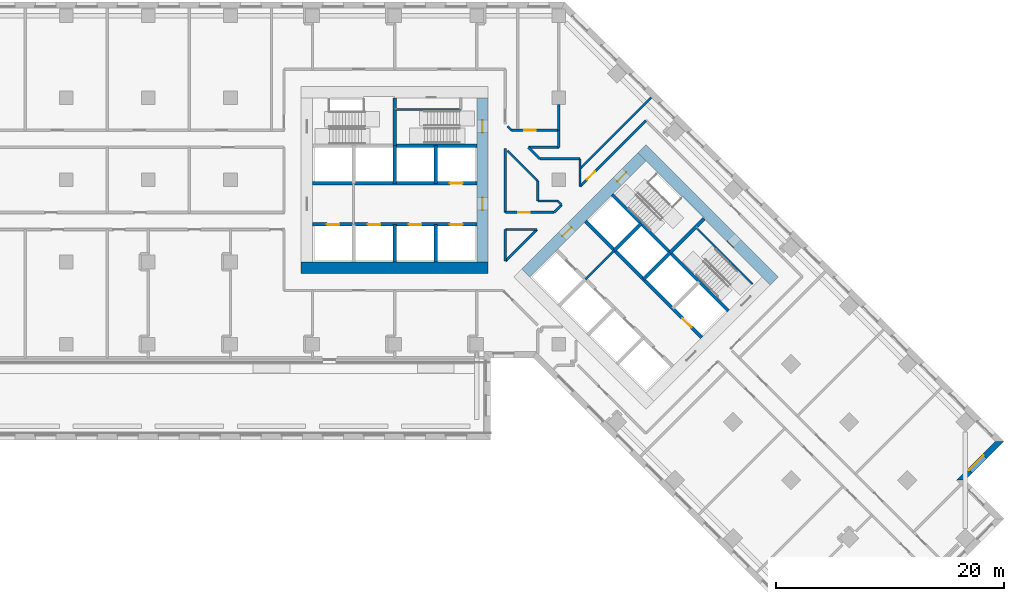
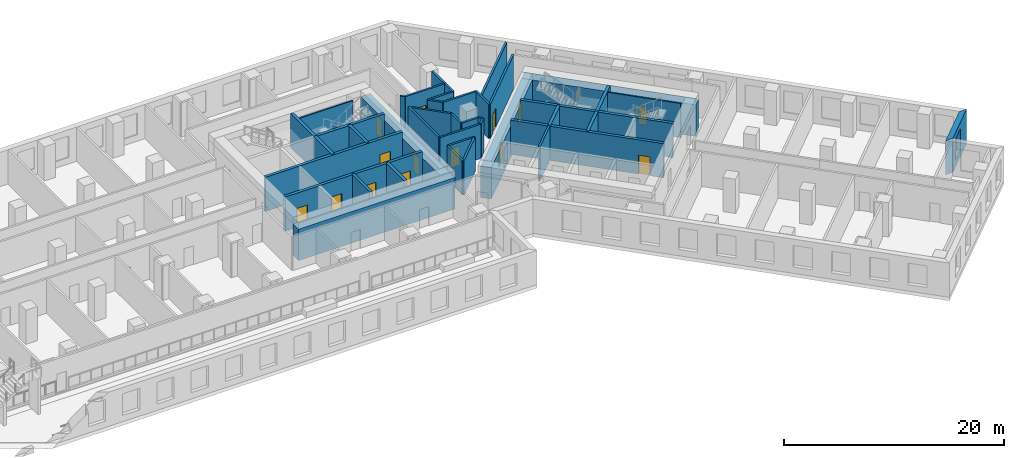
# One storey, part 9 of 14: 42 walls, 14 doors, 1 window, 15 openings.
"""IFC4 building model written with IfcOpenShell, lengths in metres."""

from ifc_helpers import new_model, si_unit, direction, frame, frame_2d, origin, place, context, subcontext, project, spatial, polyline, rectangle, outline, extrude, material, layer, layer_set, type_object, element, fill, save


model = new_model("IFC4")

# Units and contexts
model_context = context("Model", 3, precision=1e-05, world=origin(), true_north=direction((0.0, 1.0)))
body_context = subcontext(model_context, "Body", "Model", "MODEL_VIEW")
ifc_project = project(units=[si_unit("LENGTHUNIT", "METRE"), si_unit("AREAUNIT", "SQUARE_METRE"), si_unit("VOLUMEUNIT", "CUBIC_METRE"), si_unit("PLANEANGLEUNIT", "RADIAN"), si_unit("MASSUNIT", "GRAM", prefix="KILO")], contexts=[model_context])

# Site, building, storey
site_placement = place(None, origin())
site = spatial("IfcSite", under=ifc_project, at=site_placement, CompositionType="ELEMENT")
building_placement = place(site_placement, origin())
building = spatial("IfcBuilding", under=site, at=building_placement, Name="Windrow Commons", CompositionType="ELEMENT")
storey_placement = place(building_placement, frame((0.0, 0.0, 18.6)))
storey = spatial("IfcBuildingStorey", under=building, at=storey_placement, Name="L04", CompositionType="ELEMENT", Elevation=18.6)

# Wall, opening, window
ifc_material_1 = material(Name="Brick masonry, red clay brick", Category="masonry")
ifc_layer_1 = layer(ifc_material_1, 0.55)
ifc_layer_set_1 = layer_set([ifc_layer_1], Name="Brick facade wall 550")
wall_type_1 = type_object("IfcWallType", Name="Brick facade wall 550", PredefinedType="SOLIDWALL", material=ifc_layer_set_1)
wall_1_placement = place(storey_placement, frame((114.4493, 31.2706, 0.0), z_axis=(0.0, 0.0, 1.0), x_axis=(0.7070963646, 0.7071171977, 0.0)))
wall_1 = element("IfcWall", 1, at=wall_1_placement, inside=storey, type_object=wall_type_1, Name="Brick facade wall L04 3", PredefinedType="SOLIDWALL", context=body_context, shape_type="SweptSolid", body=[
    extrude(outline(polyline([(0.275, -0.275), (5.075, -0.275), (4.5251, 0.275), (-0.275, 0.275), (0.275, -0.275)])), origin(), (0.0, 0.0, 1.0), 3.8),
])
opening_1_placement = place(wall_1_placement, frame((1.1375, 0.0, 0.7)))
opening_1 = element("IfcOpeningElement", 2, at=opening_1_placement, cuts=wall_1, Name="Opening W2B", PredefinedType="OPENING", context=body_context, shape_type="SweptSolid", body=[
    extrude(rectangle(XDim=1.8, YDim=2.4, at=frame_2d((0.9, 1.2))), frame((0.0, 0.285, 0.0), z_axis=(0.0, -1.0, 0.0), x_axis=(1.0, 0.0, 0.0)), (0.0, 0.0, 1.0), 0.57),
])
ifc_material_2 = material(Name="Clear float glass in anodised aluminium frame", Category="aluminium")
window_type = type_object("IfcWindowType", Name="Window W2 podium 1800x2400", PartitioningType="SINGLE_PANEL", PredefinedType="WINDOW", material=ifc_material_2)
window_placement = place(opening_1_placement, origin())
window = element("IfcWindow", 3, at=window_placement, inside=storey, type_object=window_type, Name="Window L04 3.1", OverallHeight=2.4, OverallWidth=1.8, PartitioningType="SINGLE_PANEL", PredefinedType="WINDOW", context=body_context, shape_type="SweptSolid", body=[
    extrude(rectangle(XDim=1.8, YDim=2.4, at=frame_2d((0.9, 1.2))), frame((0.0, 0.155, 0.0), z_axis=(0.0, -1.0, 0.0), x_axis=(1.0, 0.0, 0.0)), (0.0, 0.0, 1.0), 0.06),
])
fill(opening_1, window)

# Wall
ifc_material_3 = material(Name="Blockwork partition", Category="masonry")
ifc_layer_2 = layer(ifc_material_3, 0.2)
ifc_layer_set_2 = layer_set([ifc_layer_2], Name="Fire lobby partition 200")
wall_type_2 = type_object("IfcWallType", Name="Fire lobby partition 200", PredefinedType="PARTITIONING", material=ifc_layer_set_2)
wall_2_placement = place(storey_placement, frame((81.5335, 48.8776, 0.0), z_axis=(0.0, 0.0, 1.0), x_axis=(0.707092892, 0.7071206701, 0.0)))
element("IfcWall", 4, at=wall_2_placement, inside=storey, type_object=wall_type_2, Name="W-core-lobby-B-L04", PredefinedType="PARTITIONING", context=body_context, shape_type="SweptSolid", body=[
    extrude(rectangle(XDim=3.6, YDim=0.2, at=frame_2d((1.8, 0.0))), origin(), (0.0, 0.0, 1.0), 3.8),
])

# Wall, opening, door
ifc_material_4 = material(Name="Blockwork partition", Category="masonry")
ifc_layer_3 = layer(ifc_material_4, 0.2)
ifc_layer_set_3 = layer_set([ifc_layer_3], Name="IW-CORRIDOR-200")
wall_type_3 = type_object("IfcWallType", Name="IW-CORRIDOR-200", PredefinedType="PARTITIONING", material=ifc_layer_set_3)
wall_3_placement = place(storey_placement, frame((81.053, 57.021, 0.0), z_axis=(0.0, 0.0, 1.0), x_axis=(0.7069845395, 0.7072290017, 0.0)))
wall_3 = element("IfcWall", 5, at=wall_3_placement, inside=storey, type_object=wall_type_3, Name="W-L04-W034", PredefinedType="PARTITIONING", context=body_context, shape_type="SweptSolid", body=[
    extrude(rectangle(XDim=8.1812, YDim=0.2, at=frame_2d((4.0906, 0.0))), origin(), (0.0, 0.0, 1.0), 3.8),
])
opening_2_placement = place(wall_3_placement, frame((0.8632, 0.0, 0.0)))
opening_2 = element("IfcOpeningElement", 6, at=opening_2_placement, cuts=wall_3, Name="Opening D410F", PredefinedType="OPENING", context=body_context, shape_type="SweptSolid", body=[
    extrude(rectangle(XDim=1.0, YDim=2.1, at=frame_2d((0.5, 1.05))), frame((0.0, 0.11, 0.0), z_axis=(0.0, -1.0, 0.0), x_axis=(1.0, 0.0, 0.0)), (0.0, 0.0, 1.0), 0.22),
])
ifc_material_5 = material(Name="Timber door leaf", Category="wood")
door_type_1 = type_object("IfcDoorType", Name="DT-SERVICE-1000", OperationType="SINGLE_SWING_LEFT", PredefinedType="DOOR", material=ifc_material_5)
door_1_placement = place(opening_2_placement, origin())
door_1 = element("IfcDoor", 7, at=door_1_placement, inside=storey, type_object=door_type_1, Name="D-L04-D031", OperationType="SINGLE_SWING_RIGHT", OverallHeight=2.1, OverallWidth=1.0, PredefinedType="DOOR", context=body_context, shape_type="SweptSolid", body=[
    extrude(rectangle(XDim=1.0, YDim=2.1, at=frame_2d((0.5, 1.05))), frame((0.0, 0.025, 0.0), z_axis=(0.0, -1.0, 0.0), x_axis=(1.0, 0.0, 0.0)), (0.0, 0.0, 1.0), 0.05),
])
fill(opening_2, door_1)

# Wall
wall_4_placement = place(storey_placement, frame((74.5, 54.752, 0.0), z_axis=(0.0, 0.0, 1.0), x_axis=(0.0, 1.0, 0.0)))
element("IfcWall", 8, at=wall_4_placement, inside=storey, type_object=wall_type_3, Name="W-L04-W053", PredefinedType="PARTITIONING", context=body_context, shape_type="SweptSolid", body=[
    extrude(rectangle(XDim=5.612, YDim=0.2, at=frame_2d((2.806, 0.0))), origin(), (0.0, 0.0, 1.0), 3.8),
])

# Wall, opening, door
wall_5_placement = place(storey_placement, frame((74.502, 54.75, 0.0), z_axis=(0.0, 0.0, 1.0), x_axis=(1.0, 0.0, 0.0)))
wall_5 = element("IfcWall", 9, at=wall_5_placement, inside=storey, type_object=wall_type_3, Name="W-L04-W060", PredefinedType="PARTITIONING", context=body_context, shape_type="SweptSolid", body=[
    extrude(rectangle(XDim=4.276, YDim=0.2, at=frame_2d((2.138, 0.0))), origin(), (0.0, 0.0, 1.0), 3.8),
])
opening_3_placement = place(wall_5_placement, frame((1.1286, 0.0, 0.0)))
opening_3 = element("IfcOpeningElement", 10, at=opening_3_placement, cuts=wall_5, Name="Opening D310F", PredefinedType="OPENING", context=body_context, shape_type="SweptSolid", body=[
    extrude(rectangle(XDim=1.0, YDim=2.1, at=frame_2d((0.5, 1.05))), frame((0.0, 0.11, 0.0), z_axis=(0.0, -1.0, 0.0), x_axis=(1.0, 0.0, 0.0)), (0.0, 0.0, 1.0), 0.22),
])
ifc_material_6 = material(Name="Timber door leaf", Category="wood")
door_type_2 = type_object("IfcDoorType", Name="DT-AMENITY-1000", OperationType="SINGLE_SWING_LEFT", PredefinedType="DOOR", material=ifc_material_6)
door_2_placement = place(opening_3_placement, origin())
door_2 = element("IfcDoor", 11, at=door_2_placement, inside=storey, type_object=door_type_2, Name="D-L04-D018", OperationType="SINGLE_SWING_LEFT", OverallHeight=2.1, OverallWidth=1.0, PredefinedType="DOOR", context=body_context, shape_type="SweptSolid", body=[
    extrude(rectangle(XDim=1.0, YDim=2.1, at=frame_2d((0.5, 1.05))), frame((0.0, 0.025, 0.0), z_axis=(0.0, -1.0, 0.0), x_axis=(1.0, 0.0, 0.0)), (0.0, 0.0, 1.0), 0.05),
])
fill(opening_3, door_2)

wall_6_placement = place(storey_placement, frame((75.038, 61.95, 0.0), z_axis=(0.0, 0.0, 1.0), x_axis=(1.0, 0.0, 0.0)))
wall_6 = element("IfcWall", 12, at=wall_6_placement, inside=storey, type_object=wall_type_3, Name="W-L04-W061", PredefinedType="PARTITIONING", context=body_context, shape_type="SweptSolid", body=[
    extrude(rectangle(XDim=4.162, YDim=0.2, at=frame_2d((2.081, 0.0))), origin(), (0.0, 0.0, 1.0), 3.8),
])
opening_4_placement = place(wall_6_placement, frame((1.1295, 0.0, 0.0)))
opening_4 = element("IfcOpeningElement", 13, at=opening_4_placement, cuts=wall_6, Name="Opening D310F", PredefinedType="OPENING", context=body_context, shape_type="SweptSolid", body=[
    extrude(rectangle(XDim=1.0, YDim=2.1, at=frame_2d((0.5, 1.05))), frame((0.0, 0.11, 0.0), z_axis=(0.0, -1.0, 0.0), x_axis=(1.0, 0.0, 0.0)), (0.0, 0.0, 1.0), 0.22),
])
door_3_placement = place(opening_4_placement, origin())
door_3 = element("IfcDoor", 14, at=door_3_placement, inside=storey, type_object=door_type_2, Name="D-L04-D028", OperationType="SINGLE_SWING_LEFT", OverallHeight=2.1, OverallWidth=1.0, PredefinedType="DOOR", context=body_context, shape_type="SweptSolid", body=[
    extrude(rectangle(XDim=1.0, YDim=2.1, at=frame_2d((0.5, 1.05))), frame((0.0, 0.025, 0.0), z_axis=(0.0, -1.0, 0.0), x_axis=(1.0, 0.0, 0.0)), (0.0, 0.0, 1.0), 0.05),
])
fill(opening_4, door_3)

# Walls
wall_7_placement = place(storey_placement, frame((74.5007, 50.4733, 0.0), z_axis=(0.0, 0.0, 1.0), x_axis=(0.7071067812, 0.7071067812, 0.0)))
element("IfcWall", 15, at=wall_7_placement, inside=storey, type_object=wall_type_3, Name="W-L04-W068", PredefinedType="PARTITIONING", context=body_context, shape_type="SweptSolid", body=[
    extrude(rectangle(XDim=3.9259, YDim=0.2, at=frame_2d((1.9629, 0.0))), origin(), (0.0, 0.0, 1.0), 3.8),
])
wall_8_placement = place(storey_placement, frame((74.6967, 60.1627, 0.0), z_axis=(0.0, 0.0, 1.0), x_axis=(0.7071067812, -0.7071067812, 0.0)))
element("IfcWall", 16, at=wall_8_placement, inside=storey, type_object=wall_type_3, Name="W-L04-W069", PredefinedType="PARTITIONING", context=body_context, shape_type="SweptSolid", body=[
    extrude(rectangle(XDim=3.7477, YDim=0.2, at=frame_2d((1.8739, 0.0))), origin(), (0.0, 0.0, 1.0), 3.8),
])
wall_9_placement = place(storey_placement, frame((77.538, 59.45, 0.0), z_axis=(0.0, 0.0, 1.0), x_axis=(1.0, 0.0, 0.0)))
element("IfcWall", 17, at=wall_9_placement, inside=storey, type_object=wall_type_3, Name="W-L04-W072", PredefinedType="PARTITIONING", context=body_context, shape_type="SweptSolid", body=[
    extrude(rectangle(XDim=3.512, YDim=0.2, at=frame_2d((1.756, 0.0))), origin(), (0.0, 0.0, 1.0), 3.8),
])
wall_10_placement = place(storey_placement, frame((74.5, 50.474, 0.0), z_axis=(0.0, 0.0, 1.0), x_axis=(0.0, 1.0, 0.0)))
element("IfcWall", 18, at=wall_10_placement, inside=storey, type_object=wall_type_3, Name="W-L04-W074", PredefinedType="PARTITIONING", context=body_context, shape_type="SweptSolid", body=[
    extrude(rectangle(XDim=2.776, YDim=0.2, at=frame_2d((1.388, 0.0))), origin(), (0.0, 0.0, 1.0), 3.8),
])
wall_11_placement = place(storey_placement, frame((74.502, 53.25, 0.0), z_axis=(0.0, 0.0, 1.0), x_axis=(1.0, 0.0, 0.0)))
element("IfcWall", 19, at=wall_11_placement, inside=storey, type_object=wall_type_3, Name="W-L04-W075", PredefinedType="PARTITIONING", context=body_context, shape_type="SweptSolid", body=[
    extrude(rectangle(XDim=2.774, YDim=0.2, at=frame_2d((1.387, 0.0))), origin(), (0.0, 0.0, 1.0), 3.8),
])
wall_12_placement = place(storey_placement, frame((76.54, 60.45, 0.0), z_axis=(0.0, 0.0, 1.0), x_axis=(1.0, 0.0, 0.0)))
element("IfcWall", 20, at=wall_12_placement, inside=storey, type_object=wall_type_3, Name="W-L04-W076", PredefinedType="PARTITIONING", context=body_context, shape_type="SweptSolid", body=[
    extrude(rectangle(XDim=2.66, YDim=0.2, at=frame_2d((1.33, 0.0))), origin(), (0.0, 0.0, 1.0), 3.8),
])
wall_13_placement = place(storey_placement, frame((81.05, 57.024, 0.0), z_axis=(0.0, 0.0, 1.0), x_axis=(0.0, 1.0, 0.0)))
element("IfcWall", 21, at=wall_13_placement, inside=storey, type_object=wall_type_3, Name="W-L04-W079", PredefinedType="PARTITIONING", context=body_context, shape_type="SweptSolid", body=[
    extrude(rectangle(XDim=2.426, YDim=0.2, at=frame_2d((1.213, 0.0))), origin(), (0.0, 0.0, 1.0), 3.8),
])
for number, where, z_axis, x_axis, name in (
    (22, (77.352, 55.75, 0.0), (0.0, 0.0, 1.0), (1.0, 0.0, 0.0), "W-L04-W093"),
    (23, (77.35, 55.752, 0.0), (0.0, 0.0, 1.0), (0.0, 1.0, 0.0), "W-L04-W094"),
):
    element("IfcWall", number, at=place(storey_placement, frame(where, z_axis=z_axis, x_axis=x_axis)), inside=storey, type_object=wall_type_3, Name=name, PredefinedType="PARTITIONING", context=body_context, shape_type="SweptSolid", body=[
        extrude(rectangle(XDim=1.764, YDim=0.2, at=frame_2d((0.882, 0.0))), origin(), (0.0, 0.0, 1.0), 3.8),
    ])
wall_14_placement = place(storey_placement, frame((79.2, 60.45, 0.0), z_axis=(0.0, 0.0, 1.0), x_axis=(0.0, 1.0, 0.0)))
element("IfcWall", 24, at=wall_14_placement, inside=storey, type_object=wall_type_3, Name="W-L04-W096", PredefinedType="PARTITIONING", context=body_context, shape_type="SweptSolid", body=[
    extrude(rectangle(XDim=1.5, YDim=0.2, at=frame_2d((0.75, 0.0))), origin(), (0.0, 0.0, 1.0), 3.8),
])
wall_15_placement = place(storey_placement, frame((76.5354, 60.4454, 0.0), z_axis=(0.0, 0.0, 1.0), x_axis=(0.7071067812, -0.7071067812, 0.0)))
element("IfcWall", 25, at=wall_15_placement, inside=storey, type_object=wall_type_3, Name="W-L04-W104", PredefinedType="PARTITIONING", context=body_context, shape_type="SweptSolid", body=[
    extrude(rectangle(XDim=1.4114, YDim=0.2, at=frame_2d((0.7057, 0.0))), origin(), (0.0, 0.0, 1.0), 3.8),
])
wall_16_placement = place(storey_placement, frame((78.7787, 54.7513, 0.0), z_axis=(0.0, 0.0, 1.0), x_axis=(0.7071067812, 0.7071067812, 0.0)))
element("IfcWall", 26, at=wall_16_placement, inside=storey, type_object=wall_type_3, Name="W-L04-W114", PredefinedType="PARTITIONING", context=body_context, shape_type="SweptSolid", body=[
    extrude(rectangle(XDim=0.9447, YDim=0.2, at=frame_2d((0.4723, 0.0))), origin(), (0.0, 0.0, 1.0), 3.8),
])
wall_17_placement = place(storey_placement, frame((74.7034, 62.2914, 0.0), z_axis=(0.0, 0.0, 1.0), x_axis=(0.7071067812, -0.7071067812, 0.0)))
element("IfcWall", 27, at=wall_17_placement, inside=storey, type_object=wall_type_3, Name="W-L04-W159", PredefinedType="PARTITIONING", context=body_context, shape_type="SweptSolid", body=[
    extrude(rectangle(XDim=0.478, YDim=0.2, at=frame_2d((0.239, 0.0))), origin(), (0.0, 0.0, 1.0), 3.8),
])
wall_18_placement = place(storey_placement, frame((79.1127, 55.7467, 0.0), z_axis=(0.0, 0.0, 1.0), x_axis=(0.7071067812, -0.7071067812, 0.0)))
element("IfcWall", 28, at=wall_18_placement, inside=storey, type_object=wall_type_3, Name="W-L04-W162", PredefinedType="PARTITIONING", context=body_context, shape_type="SweptSolid", body=[
    extrude(rectangle(XDim=0.4667, YDim=0.2, at=frame_2d((0.2334, 0.0))), origin(), (0.0, 0.0, 1.0), 3.8),
])
ifc_material_7 = material(Name="Blockwork partition", Category="masonry")
ifc_layer_4 = layer(ifc_material_7, 0.2)
ifc_layer_set_4 = layer_set([ifc_layer_4], Name="IW-PARTY-200")
wall_type_4 = type_object("IfcWallType", Name="IW-PARTY-200", PredefinedType="PARTITIONING", material=ifc_layer_set_4)
wall_19_placement = place(storey_placement, frame((81.0489, 58.5771, 0.0), z_axis=(0.0, 0.0, 1.0), x_axis=(0.7071124411, 0.7071011213, 0.0)))
element("IfcWall", 29, at=wall_19_placement, inside=storey, type_object=wall_type_4, Name="W-L04-W033", PredefinedType="PARTITIONING", context=body_context, shape_type="SweptSolid", body=[
    extrude(rectangle(XDim=8.8341, YDim=0.2, at=frame_2d((4.417, 0.0))), origin(), (0.0, 0.0, 1.0), 3.8),
])
wall_20_placement = place(storey_placement, frame((79.2, 61.95, 0.0), z_axis=(0.0, 0.0, 1.0), x_axis=(0.0, 1.0, 0.0)))
element("IfcWall", 30, at=wall_20_placement, inside=storey, type_object=wall_type_4, Name="W-L04-W080", PredefinedType="PARTITIONING", context=body_context, shape_type="SweptSolid", body=[
    extrude(rectangle(XDim=2.25, YDim=0.2, at=frame_2d((1.125, 0.0))), origin(), (0.0, 0.0, 1.0), 3.8),
])
ifc_material_8 = material(Name="Concrete C60/75", Category="concrete")
ifc_layer_5 = layer(ifc_material_8, 1.0)
ifc_layer_set_5 = layer_set([ifc_layer_5], Name="RC CORE WALL 1000 C60/75")
wall_type_5 = type_object("IfcWallType", Name="RC CORE WALL 1000 C60/75", PredefinedType="SHEAR", material=ifc_layer_set_5)
wall_21_placement = place(storey_placement, frame((56.6, 49.9, -0.4), z_axis=(0.0, 0.0, 1.0), x_axis=(1.0, 0.0, 0.0)))
element("IfcWall", 31, at=wall_21_placement, inside=storey, type_object=wall_type_5, Name="Core A wall outer-S", PredefinedType="SHEAR", context=body_context, shape_type="SweptSolid", body=[
    extrude(rectangle(XDim=16.4, YDim=1.0, at=frame_2d((8.2, 0.0))), origin(), (0.0, 0.0, 1.0), 3.5),
])

# Wall, openings, doors
wall_22_placement = place(storey_placement, frame((72.5, 50.4, -0.4), z_axis=(0.0, 0.0, 1.0), x_axis=(0.0, 1.0, 0.0)))
wall_22 = element("IfcWall", 32, at=wall_22_placement, inside=storey, type_object=wall_type_5, Name="Core A wall outer-E", PredefinedType="SHEAR", context=body_context, shape_type="SweptSolid", body=[
    extrude(rectangle(XDim=14.4, YDim=1.0, at=frame_2d((7.2, 0.0))), origin(), (0.0, 0.0, 1.0), 3.5),
])
opening_5_placement = place(wall_22_placement, frame((4.55, 0.0, 0.4)))
opening_5 = element("IfcOpeningElement", 33, at=opening_5_placement, cuts=wall_22, Name="Opening D6", PredefinedType="OPENING", context=body_context, shape_type="SweptSolid", body=[
    extrude(rectangle(XDim=1.1, YDim=2.1, at=frame_2d((0.55, 1.05))), frame((0.0, 0.51, 0.0), z_axis=(0.0, -1.0, 0.0), x_axis=(1.0, 0.0, 0.0)), (0.0, 0.0, 1.0), 1.02),
])
opening_6_placement = place(wall_22_placement, frame((11.35, 0.0, 0.4)))
opening_6 = element("IfcOpeningElement", 34, at=opening_6_placement, cuts=wall_22, Name="Opening D7", PredefinedType="OPENING", context=body_context, shape_type="SweptSolid", body=[
    extrude(rectangle(XDim=1.1, YDim=2.1, at=frame_2d((0.55, 1.05))), frame((0.0, 0.51, 0.0), z_axis=(0.0, -1.0, 0.0), x_axis=(1.0, 0.0, 0.0)), (0.0, 0.0, 1.0), 1.02),
])
ifc_material_9 = material(Name="Steel fire door leaf", Category="steel")
door_type_3 = type_object("IfcDoorType", Name="Core lobby door 1100", OperationType="SINGLE_SWING_LEFT", PredefinedType="DOOR", material=ifc_material_9)
door_4_placement = place(opening_5_placement, origin())
door_4 = element("IfcDoor", 35, at=door_4_placement, inside=storey, type_object=door_type_3, Name="Lift lobby door", OperationType="DOUBLE_DOOR_SINGLE_SWING", OverallHeight=2.1, OverallWidth=1.1, PredefinedType="DOOR", context=body_context, shape_type="SweptSolid", body=[
    extrude(rectangle(XDim=1.1, YDim=2.1, at=frame_2d((0.55, 1.05))), frame((0.0, 0.025, 0.0), z_axis=(0.0, -1.0, 0.0), x_axis=(1.0, 0.0, 0.0)), (0.0, 0.0, 1.0), 0.05),
])
fill(opening_5, door_4)
ifc_material_10 = material(Name="Steel fire door leaf", Category="steel")
door_type_4 = type_object("IfcDoorType", Name="Stair door 1100", OperationType="SINGLE_SWING_LEFT", PredefinedType="DOOR", material=ifc_material_10)
door_5_placement = place(opening_6_placement, origin())
door_5 = element("IfcDoor", 36, at=door_5_placement, inside=storey, type_object=door_type_4, Name="Stair door", OperationType="SINGLE_SWING_RIGHT", OverallHeight=2.1, OverallWidth=1.1, PredefinedType="DOOR", context=body_context, shape_type="SweptSolid", body=[
    extrude(rectangle(XDim=1.1, YDim=2.1, at=frame_2d((0.55, 1.05))), frame((0.0, 0.025, 0.0), z_axis=(0.0, -1.0, 0.0), x_axis=(1.0, 0.0, 0.0)), (0.0, 0.0, 1.0), 0.05),
])
fill(opening_6, door_5)

# Wall, opening, door
wall_23_placement = place(storey_placement, frame((86.4832, 60.3327, -0.4), z_axis=(0.0, 0.0, 1.0), x_axis=(0.70710983, -0.7071037324, 0.0)))
wall_23 = element("IfcWall", 37, at=wall_23_placement, inside=storey, type_object=wall_type_5, Name="Core B wall outer-N", PredefinedType="SHEAR", context=body_context, shape_type="SweptSolid", body=[
    extrude(rectangle(XDim=16.4, YDim=1.0, at=frame_2d((8.2, 0.0))), origin(), (0.0, 0.0, 1.0), 3.5),
])
opening_7_placement = place(wall_23_placement, frame((11.0, 0.0, 0.4)))
opening_7 = element("IfcOpeningElement", 38, at=opening_7_placement, cuts=wall_23, Name="Opening D9", PredefinedType="OPENING", context=body_context, shape_type="SweptSolid", body=[
    extrude(rectangle(XDim=0.8, YDim=2.1, at=frame_2d((0.4, 1.05))), frame((0.0, 0.51, 0.0), z_axis=(0.0, -1.0, 0.0), x_axis=(1.0, 0.0, 0.0)), (0.0, 0.0, 1.0), 1.02),
])
ifc_material_11 = material(Name="Steel fire door leaf", Category="steel")
door_type_5 = type_object("IfcDoorType", Name="Riser access door 800", OperationType="SINGLE_SWING_LEFT", PredefinedType="DOOR", material=ifc_material_11)
door_6_placement = place(opening_7_placement, origin())
door_6 = element("IfcDoor", 39, at=door_6_placement, inside=storey, type_object=door_type_5, Name="Riser access door", OperationType="SINGLE_SWING_RIGHT", OverallHeight=2.1, OverallWidth=0.8, PredefinedType="DOOR", context=body_context, shape_type="SweptSolid", body=[
    extrude(rectangle(XDim=0.8, YDim=2.1, at=frame_2d((0.4, 1.05))), frame((0.0, -0.44, 0.0), z_axis=(0.0, -1.0, 0.0), x_axis=(1.0, 0.0, 0.0)), (0.0, 0.0, 1.0), 0.05),
])
fill(opening_7, door_6)

# Wall, openings, doors
wall_24_placement = place(storey_placement, frame((76.3009, 49.4433, -0.4), z_axis=(0.0, 0.0, 1.0), x_axis=(0.7071067812, 0.7071067812, 0.0)))
wall_24 = element("IfcWall", 40, at=wall_24_placement, inside=storey, type_object=wall_type_5, Name="Core B wall outer-W", PredefinedType="SHEAR", context=body_context, shape_type="SweptSolid", body=[
    extrude(rectangle(XDim=14.3999, YDim=1.0, at=frame_2d((7.2, 0.0))), origin(), (0.0, 0.0, 1.0), 3.5),
])
opening_8_placement = place(wall_24_placement, frame((4.55, 0.0, 0.4)))
opening_8 = element("IfcOpeningElement", 41, at=opening_8_placement, cuts=wall_24, Name="Opening D6", PredefinedType="OPENING", context=body_context, shape_type="SweptSolid", body=[
    extrude(rectangle(XDim=1.1, YDim=2.1, at=frame_2d((0.55, 1.05))), frame((0.0, 0.51, 0.0), z_axis=(0.0, -1.0, 0.0), x_axis=(1.0, 0.0, 0.0)), (0.0, 0.0, 1.0), 1.02),
])
opening_9_placement = place(wall_24_placement, frame((11.35, 0.0, 0.4)))
opening_9 = element("IfcOpeningElement", 42, at=opening_9_placement, cuts=wall_24, Name="Opening D7", PredefinedType="OPENING", context=body_context, shape_type="SweptSolid", body=[
    extrude(rectangle(XDim=1.1, YDim=2.1, at=frame_2d((0.55, 1.05))), frame((0.0, 0.51, 0.0), z_axis=(0.0, -1.0, 0.0), x_axis=(1.0, 0.0, 0.0)), (0.0, 0.0, 1.0), 1.02),
])
door_7_placement = place(opening_8_placement, origin())
door_7 = element("IfcDoor", 43, at=door_7_placement, inside=storey, type_object=door_type_3, Name="Lift lobby door", OperationType="DOUBLE_DOOR_SINGLE_SWING", OverallHeight=2.1, OverallWidth=1.1, PredefinedType="DOOR", context=body_context, shape_type="SweptSolid", body=[
    extrude(rectangle(XDim=1.1, YDim=2.1, at=frame_2d((0.55, 1.05))), frame((0.0, 0.025, 0.0), z_axis=(0.0, -1.0, 0.0), x_axis=(1.0, 0.0, 0.0)), (0.0, 0.0, 1.0), 0.05),
])
fill(opening_8, door_7)
door_8_placement = place(opening_9_placement, origin())
door_8 = element("IfcDoor", 44, at=door_8_placement, inside=storey, type_object=door_type_4, Name="Stair door", OperationType="SINGLE_SWING_LEFT", OverallHeight=2.1, OverallWidth=1.1, PredefinedType="DOOR", context=body_context, shape_type="SweptSolid", body=[
    extrude(rectangle(XDim=1.1, YDim=2.1, at=frame_2d((0.55, 1.05))), frame((0.0, 0.025, 0.0), z_axis=(0.0, -1.0, 0.0), x_axis=(1.0, 0.0, 0.0)), (0.0, 0.0, 1.0), 0.05),
])
fill(opening_9, door_8)

# Walls
ifc_material_12 = material(Name="Concrete C60/75", Category="concrete")
ifc_layer_6 = layer(ifc_material_12, 0.3)
ifc_layer_set_6 = layer_set([ifc_layer_6], Name="RC SHAFT WALL 300 C60/75")
wall_type_6 = type_object("IfcWallType", Name="RC SHAFT WALL 300 C60/75", PredefinedType="SOLIDWALL", material=ifc_layer_set_6)
for number, where, z_axis, x_axis, name in (
    (45, (64.8, 50.4, 0.0), (0.0, 0.0, 1.0), (0.0, 1.0, 0.0), "Core A wall shaft-S2"),
    (46, (64.8, 57.3, 0.0), (0.0, 0.0, 1.0), (0.0, 1.0, 0.0), "Core A wall shaft-N2"),
    (47, (68.4, 50.4, 0.0), (0.0, 0.0, 1.0), (0.0, 1.0, 0.0), "Core A wall shaft-S3"),
    (48, (68.4, 57.3, 0.0), (0.0, 0.0, 1.0), (0.0, 1.0, 0.0), "Core A wall shaft-N3"),
):
    element("IfcWall", number, at=place(storey_placement, frame(where, z_axis=z_axis, x_axis=x_axis)), inside=storey, type_object=wall_type_6, Name=name, PredefinedType="SOLIDWALL", context=body_context, shape_type="SweptSolid", body=[
        extrude(rectangle(XDim=3.3, YDim=0.3, at=frame_2d((1.65, 0.0))), origin(), (0.0, 0.0, 1.0), 3.8),
    ])

# Wall, openings, doors
wall_25_placement = place(storey_placement, frame((57.6, 53.7, 0.0), z_axis=(0.0, 0.0, 1.0), x_axis=(1.0, 0.0, 0.0)))
wall_25 = element("IfcWall", 49, at=wall_25_placement, inside=storey, type_object=wall_type_6, Name="Core A wall lobby-S", PredefinedType="SOLIDWALL", context=body_context, shape_type="SweptSolid", body=[
    extrude(rectangle(XDim=14.4, YDim=0.3, at=frame_2d((7.2, 0.0))), origin(), (0.0, 0.0, 1.0), 3.8),
])
opening_10_placement = place(wall_25_placement, frame((1.25, 0.0, 0.0)))
opening_10 = element("IfcOpeningElement", 50, at=opening_10_placement, cuts=wall_25, Name="Opening LD", PredefinedType="OPENING", context=body_context, shape_type="SweptSolid", body=[
    extrude(rectangle(XDim=1.1, YDim=2.1, at=frame_2d((0.55, 1.05))), frame((0.0, 0.16, 0.0), z_axis=(0.0, -1.0, 0.0), x_axis=(1.0, 0.0, 0.0)), (0.0, 0.0, 1.0), 0.32),
])
opening_11_placement = place(wall_25_placement, frame((4.85, 0.0, 0.0)))
opening_11 = element("IfcOpeningElement", 51, at=opening_11_placement, cuts=wall_25, Name="Opening LD", PredefinedType="OPENING", context=body_context, shape_type="SweptSolid", body=[
    extrude(rectangle(XDim=1.1, YDim=2.1, at=frame_2d((0.55, 1.05))), frame((0.0, 0.16, 0.0), z_axis=(0.0, -1.0, 0.0), x_axis=(1.0, 0.0, 0.0)), (0.0, 0.0, 1.0), 0.32),
])
opening_12_placement = place(wall_25_placement, frame((8.45, 0.0, 0.0)))
opening_12 = element("IfcOpeningElement", 52, at=opening_12_placement, cuts=wall_25, Name="Opening LD", PredefinedType="OPENING", context=body_context, shape_type="SweptSolid", body=[
    extrude(rectangle(XDim=1.1, YDim=2.1, at=frame_2d((0.55, 1.05))), frame((0.0, 0.16, 0.0), z_axis=(0.0, -1.0, 0.0), x_axis=(1.0, 0.0, 0.0)), (0.0, 0.0, 1.0), 0.32),
])
opening_13_placement = place(wall_25_placement, frame((12.05, 0.0, 0.0)))
opening_13 = element("IfcOpeningElement", 53, at=opening_13_placement, cuts=wall_25, Name="Opening LD", PredefinedType="OPENING", context=body_context, shape_type="SweptSolid", body=[
    extrude(rectangle(XDim=1.1, YDim=2.1, at=frame_2d((0.55, 1.05))), frame((0.0, 0.16, 0.0), z_axis=(0.0, -1.0, 0.0), x_axis=(1.0, 0.0, 0.0)), (0.0, 0.0, 1.0), 0.32),
])
ifc_material_13 = material(Name="Stainless steel door leaf", Category="steel")
door_type_6 = type_object("IfcDoorType", Name="Lift landing door 1100", OperationType="SLIDING_TO_LEFT", PredefinedType="DOOR", material=ifc_material_13)
door_9_placement = place(opening_10_placement, origin())
door_9 = element("IfcDoor", 54, at=door_9_placement, inside=storey, type_object=door_type_6, Name="Lift landing door", OperationType="SLIDING_TO_LEFT", OverallHeight=2.1, OverallWidth=1.1, PredefinedType="DOOR", context=body_context, shape_type="SweptSolid", body=[
    extrude(rectangle(XDim=1.1, YDim=2.1, at=frame_2d((0.55, 1.05))), frame((0.0, 0.025, 0.0), z_axis=(0.0, -1.0, 0.0), x_axis=(1.0, 0.0, 0.0)), (0.0, 0.0, 1.0), 0.05),
])
fill(opening_10, door_9)
door_10_placement = place(opening_11_placement, origin())
door_10 = element("IfcDoor", 55, at=door_10_placement, inside=storey, type_object=door_type_6, Name="Lift landing door", OperationType="SLIDING_TO_RIGHT", OverallHeight=2.1, OverallWidth=1.1, PredefinedType="DOOR", context=body_context, shape_type="SweptSolid", body=[
    extrude(rectangle(XDim=1.1, YDim=2.1, at=frame_2d((0.55, 1.05))), frame((0.0, 0.025, 0.0), z_axis=(0.0, -1.0, 0.0), x_axis=(1.0, 0.0, 0.0)), (0.0, 0.0, 1.0), 0.05),
])
fill(opening_11, door_10)
door_11_placement = place(opening_12_placement, origin())
door_11 = element("IfcDoor", 56, at=door_11_placement, inside=storey, type_object=door_type_6, Name="Lift landing door", OperationType="SLIDING_TO_LEFT", OverallHeight=2.1, OverallWidth=1.1, PredefinedType="DOOR", context=body_context, shape_type="SweptSolid", body=[
    extrude(rectangle(XDim=1.1, YDim=2.1, at=frame_2d((0.55, 1.05))), frame((0.0, 0.025, 0.0), z_axis=(0.0, -1.0, 0.0), x_axis=(1.0, 0.0, 0.0)), (0.0, 0.0, 1.0), 0.05),
])
fill(opening_12, door_11)
door_12_placement = place(opening_13_placement, origin())
door_12 = element("IfcDoor", 57, at=door_12_placement, inside=storey, type_object=door_type_6, Name="Lift landing door", OperationType="SLIDING_TO_RIGHT", OverallHeight=2.1, OverallWidth=1.1, PredefinedType="DOOR", context=body_context, shape_type="SweptSolid", body=[
    extrude(rectangle(XDim=1.1, YDim=2.1, at=frame_2d((0.55, 1.05))), frame((0.0, 0.025, 0.0), z_axis=(0.0, -1.0, 0.0), x_axis=(1.0, 0.0, 0.0)), (0.0, 0.0, 1.0), 0.05),
])
fill(opening_13, door_12)

# Wall, opening, door
wall_26_placement = place(storey_placement, frame((57.6, 57.3, 0.0), z_axis=(0.0, 0.0, 1.0), x_axis=(1.0, 0.0, 0.0)))
wall_26 = element("IfcWall", 58, at=wall_26_placement, inside=storey, type_object=wall_type_6, Name="Core A wall lobby-N", PredefinedType="SOLIDWALL", context=body_context, shape_type="SweptSolid", body=[
    extrude(rectangle(XDim=14.4, YDim=0.3, at=frame_2d((7.2, 0.0))), origin(), (0.0, 0.0, 1.0), 3.8),
])
opening_14_placement = place(wall_26_placement, frame((12.05, 0.0, 0.0)))
opening_14 = element("IfcOpeningElement", 59, at=opening_14_placement, cuts=wall_26, Name="Opening LD", PredefinedType="OPENING", context=body_context, shape_type="SweptSolid", body=[
    extrude(rectangle(XDim=1.1, YDim=2.1, at=frame_2d((0.55, 1.05))), frame((0.0, 0.16, 0.0), z_axis=(0.0, -1.0, 0.0), x_axis=(1.0, 0.0, 0.0)), (0.0, 0.0, 1.0), 0.32),
])
door_13_placement = place(opening_14_placement, origin())
door_13 = element("IfcDoor", 60, at=door_13_placement, inside=storey, type_object=door_type_6, Name="Lift landing door", OperationType="SLIDING_TO_RIGHT", OverallHeight=2.1, OverallWidth=1.1, PredefinedType="DOOR", context=body_context, shape_type="SweptSolid", body=[
    extrude(rectangle(XDim=1.1, YDim=2.1, at=frame_2d((0.55, 1.05))), frame((0.0, 0.025, 0.0), z_axis=(0.0, -1.0, 0.0), x_axis=(1.0, 0.0, 0.0)), (0.0, 0.0, 1.0), 0.05),
])
fill(opening_14, door_13)

# Walls
wall_27_placement = place(storey_placement, frame((64.8, 60.6, 0.0), z_axis=(0.0, 0.0, 1.0), x_axis=(1.0, 0.0, 0.0)))
element("IfcWall", 61, at=wall_27_placement, inside=storey, type_object=wall_type_6, Name="Core A wall stair-S2", PredefinedType="SOLIDWALL", context=body_context, shape_type="SweptSolid", body=[
    extrude(rectangle(XDim=7.2, YDim=0.3, at=frame_2d((3.6, 0.0))), origin(), (0.0, 0.0, 1.0), 3.8),
])
wall_28_placement = place(storey_placement, frame((64.8, 60.6, 0.0), z_axis=(0.0, 0.0, 1.0), x_axis=(0.0, 1.0, 0.0)))
element("IfcWall", 62, at=wall_28_placement, inside=storey, type_object=wall_type_6, Name="Core A wall stair-mid", PredefinedType="SOLIDWALL", context=body_context, shape_type="SweptSolid", body=[
    extrude(rectangle(XDim=4.2, YDim=0.3, at=frame_2d((2.1, 0.0))), origin(), (0.0, 0.0, 1.0), 3.8),
])
wall_29_placement = place(storey_placement, frame((84.079, 51.4232, 0.0), z_axis=(0.0, 0.0, 1.0), x_axis=(0.7071219326, 0.7070916295, 0.0)))
element("IfcWall", 63, at=wall_29_placement, inside=storey, type_object=wall_type_6, Name="Core B wall shaft-N1", PredefinedType="SOLIDWALL", context=body_context, shape_type="SweptSolid", body=[
    extrude(rectangle(XDim=3.3, YDim=0.3, at=frame_2d((1.65, 0.0))), origin(), (0.0, 0.0, 1.0), 3.8),
])
wall_30_placement = place(storey_placement, frame((86.6246, 48.8776, 0.0), z_axis=(0.0, 0.0, 1.0), x_axis=(0.7071067812, 0.7071067812, 0.0)))
element("IfcWall", 64, at=wall_30_placement, inside=storey, type_object=wall_type_6, Name="Core B wall shaft-N2", PredefinedType="SOLIDWALL", context=body_context, shape_type="SweptSolid", body=[
    extrude(rectangle(XDim=3.3001, YDim=0.3, at=frame_2d((1.6501, 0.0))), origin(), (0.0, 0.0, 1.0), 3.8),
])

# Wall, opening, door
wall_31_placement = place(storey_placement, frame((81.5335, 53.9688, 0.0), z_axis=(0.0, 0.0, 1.0), x_axis=(0.707103309, -0.7071102534, 0.0)))
wall_31 = element("IfcWall", 65, at=wall_31_placement, inside=storey, type_object=wall_type_6, Name="Core B wall lobby-N", PredefinedType="SOLIDWALL", context=body_context, shape_type="SweptSolid", body=[
    extrude(rectangle(XDim=14.4, YDim=0.3, at=frame_2d((7.2, 0.0))), origin(), (0.0, 0.0, 1.0), 3.8),
])
opening_15_placement = place(wall_31_placement, frame((12.05, 0.0, 0.0)))
opening_15 = element("IfcOpeningElement", 66, at=opening_15_placement, cuts=wall_31, Name="Opening LD", PredefinedType="OPENING", context=body_context, shape_type="SweptSolid", body=[
    extrude(rectangle(XDim=1.1, YDim=2.1, at=frame_2d((0.55, 1.05))), frame((0.0, 0.16, 0.0), z_axis=(0.0, -1.0, 0.0), x_axis=(1.0, 0.0, 0.0)), (0.0, 0.0, 1.0), 0.32),
])
door_14_placement = place(opening_15_placement, origin())
door_14 = element("IfcDoor", 67, at=door_14_placement, inside=storey, type_object=door_type_6, Name="Lift landing door", OperationType="SLIDING_TO_RIGHT", OverallHeight=2.1, OverallWidth=1.1, PredefinedType="DOOR", context=body_context, shape_type="SweptSolid", body=[
    extrude(rectangle(XDim=1.1, YDim=2.1, at=frame_2d((0.55, 1.05))), frame((0.0, 0.025, 0.0), z_axis=(0.0, -1.0, 0.0), x_axis=(1.0, 0.0, 0.0)), (0.0, 0.0, 1.0), 0.05),
])
fill(opening_15, door_14)

# Walls
for number, where, z_axis, x_axis, name in (
    (68, (83.8669, 56.3022, 0.0), (0.0, 0.0, 1.0), (0.7071137256, -0.7070998367, 0.0), "Core B wall stair-S"),
    (69, (88.9581, 51.2111, 0.0), (0.0, 0.0, 1.0), (0.7070998367, -0.7071137256, 0.0), "Core B wall stair-S2"),
):
    element("IfcWall", number, at=place(storey_placement, frame(where, z_axis=z_axis, x_axis=x_axis)), inside=storey, type_object=wall_type_6, Name=name, PredefinedType="SOLIDWALL", context=body_context, shape_type="SweptSolid", body=[
        extrude(rectangle(XDim=7.2, YDim=0.3, at=frame_2d((3.6, 0.0))), origin(), (0.0, 0.0, 1.0), 3.8),
    ])
wall_32_placement = place(storey_placement, frame((88.9581, 51.2111, 0.0), z_axis=(0.0, 0.0, 1.0), x_axis=(0.7071067812, 0.7071067812, 0.0)))
element("IfcWall", 70, at=wall_32_placement, inside=storey, type_object=wall_type_6, Name="Core B wall stair-mid", PredefinedType="SOLIDWALL", context=body_context, shape_type="SweptSolid", body=[
    extrude(rectangle(XDim=4.1999, YDim=0.3, at=frame_2d((2.1, 0.0))), origin(), (0.0, 0.0, 1.0), 3.8),
])
ifc_material_14 = material(Name="Blockwork partition", Category="masonry")
ifc_layer_7 = layer(ifc_material_14, 0.15)
ifc_layer_set_7 = layer_set([ifc_layer_7], Name="Riser partition 150")
wall_type_7 = type_object("IfcWallType", Name="Riser partition 150", PredefinedType="PARTITIONING", material=ifc_layer_set_7)
wall_33_placement = place(storey_placement, frame((64.95, 63.78, 0.0), z_axis=(0.0, 0.0, 1.0), x_axis=(1.0, 0.0, 0.0)))
element("IfcWall", 71, at=wall_33_placement, inside=storey, type_object=wall_type_7, Name="W-core-strip-A-L04", PredefinedType="PARTITIONING", context=body_context, shape_type="SweptSolid", body=[
    extrude(rectangle(XDim=5.65, YDim=0.15, at=frame_2d((2.825, 0.0))), origin(), (0.0, 0.0, 1.0), 3.8),
])
wall_34_placement = place(storey_placement, frame((91.3127, 53.3536, 0.0), z_axis=(0.0, 0.0, 1.0), x_axis=(0.7071140275, -0.7070995348, 0.0)))
element("IfcWall", 72, at=wall_34_placement, inside=storey, type_object=wall_type_7, Name="W-core-strip-B-L04", PredefinedType="PARTITIONING", context=body_context, shape_type="SweptSolid", body=[
    extrude(rectangle(XDim=6.9, YDim=0.15, at=frame_2d((3.45, 0.0))), origin(), (0.0, 0.0, 1.0), 3.8),
])

save(model, "model.ifc")
